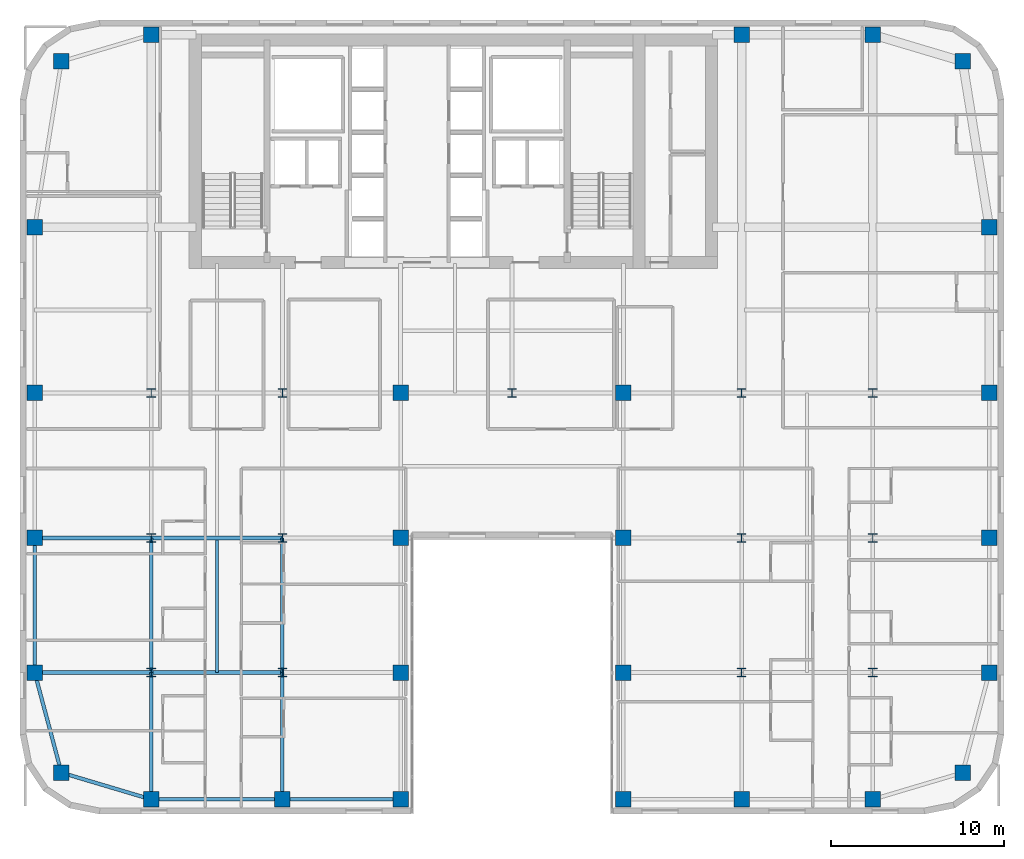
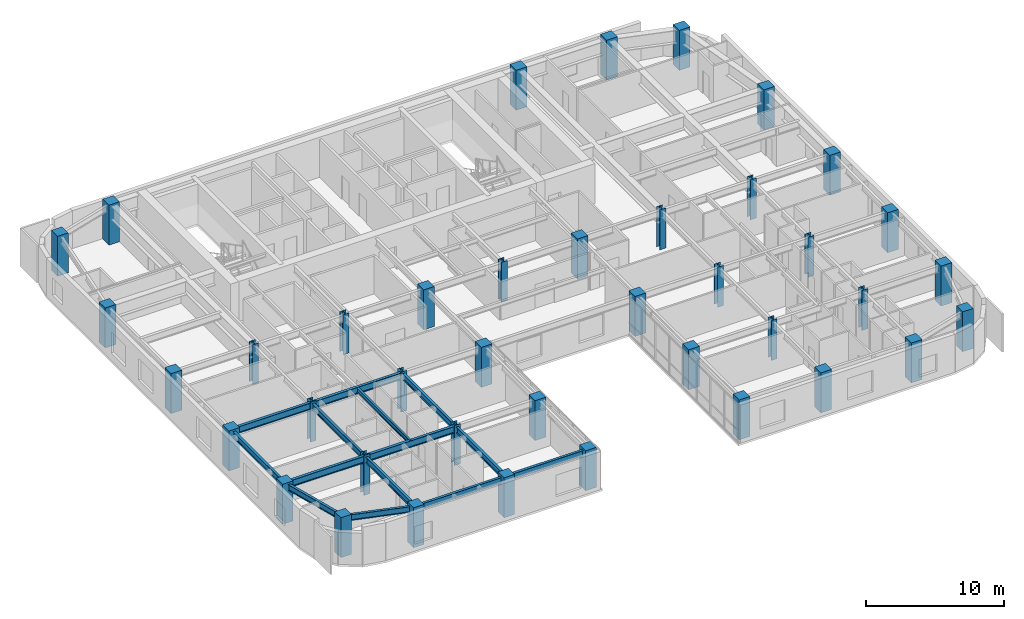
# One storey, part 1 of 17: 40 columns, 14 beams.
"""IFC4 building model written with IfcOpenShell, lengths in metres."""

from ifc_helpers import new_model, si_unit, direction, frame, origin, origin_2d, place, context, subcontext, project, spatial, rectangle, i_section, extrude, source, transform, mapped, material, material_profile, profile_set, type_object, type_shapes, element, save


model = new_model("IFC4")

# Units and contexts
model_context = context("Model", 3, precision=1e-05, world=origin(), true_north=direction((0.0, 1.0)))
body_context = subcontext(model_context, "Body", "Model", "MODEL_VIEW")
ifc_project = project(units=[si_unit("LENGTHUNIT", "METRE"), si_unit("AREAUNIT", "SQUARE_METRE"), si_unit("VOLUMEUNIT", "CUBIC_METRE"), si_unit("PLANEANGLEUNIT", "RADIAN"), si_unit("MASSUNIT", "GRAM", prefix="KILO")], contexts=[model_context])

# Site, building, storey
site_placement = place(None, origin())
site = spatial("IfcSite", under=ifc_project, at=site_placement, CompositionType="ELEMENT")
building_placement = place(site_placement, origin())
building = spatial("IfcBuilding", under=site, at=building_placement, Name="Tolvann Quenvar Hotel", CompositionType="ELEMENT")
storey_placement = place(building_placement, frame((0.0, 0.0, 129.300048828125)))
storey = spatial("IfcBuildingStorey", under=building, at=storey_placement, Name="L33", CompositionType="ELEMENT", Elevation=129.300048828125)

# Columns
ifc_material_1 = material(Name="Concrete S65 (65 MPa)", Category="concrete")
ifc_material_profile_1 = material_profile(ifc_material_1, rectangle(XDim=0.89990234375, YDim=0.89990234375, at=origin_2d()), Name="RC900x900")
ifc_profile_set_1 = profile_set([ifc_material_profile_1], Name="Concrete S65 (65 MPa)")
column_type_1 = type_object("IfcColumnType", Name="COL_RC900", PredefinedType="COLUMN", material=ifc_profile_set_1)
shared_shape_1 = source(origin(), body_context, "Body", "SweptSolid", [
    extrude(rectangle(XDim=0.89990234375, YDim=0.89990234375, at=origin_2d()), origin(), (0.0, 0.0, 1.0), 3.550048828125),
])
type_shapes(column_type_1, [shared_shape_1])
for number, where, z_axis, x_axis, name in (
    (1, (2.39990234375, 2.39990234375, 0.0), (0.0, 0.0, 1.0), (1.0, 0.0, 0.0), "Column B2 (L33)"),
    (2, (0.85009765625, 8.199951171875, 0.0), (0.0, 0.0, 1.0), (1.0, 0.0, 0.0), "Column B3 (L33)"),
    (3, (0.85009765625, 16.0, 0.0), (0.0, 0.0, 1.0), (1.0, 0.0, 0.0), "Column B4 (L33)"),
    (4, (0.85009765625, 24.39990234375, 0.0), (0.0, 0.0, 1.0), (1.0, 0.0, 0.0), "Column B5 (L33)"),
    (5, (7.60009765625, 0.85009765625, 0.0), (0.0, 0.0, 1.0), (1.0, 0.0, 0.0), "Column C2 (L33)"),
    (6, (15.199951171875, 0.85009765625, 0.0), (0.0, 0.0, 1.0), (1.0, 0.0, 0.0), "Column D2 (L33)"),
    (7, (22.050048828125, 0.85009765625, 0.0), (0.0, 0.0, 1.0), (1.0, 0.0, 0.0), "Column E2 (L33)"),
    (8, (22.050048828125, 8.199951171875, 0.0), (0.0, 0.0, 1.0), (1.0, 0.0, 0.0), "Column E3 (L33)"),
    (9, (22.050048828125, 16.0, 0.0), (0.0, 0.0, 1.0), (1.0, 0.0, 0.0), "Column E4 (L33)"),
    (10, (22.050048828125, 24.39990234375, 0.0), (0.0, 0.0, 1.0), (1.0, 0.0, 0.0), "Column E5 (L33)"),
    (11, (34.949951171875, 0.85009765625, 0.0), (0.0, 0.0, 1.0), (1.0, 0.0, 0.0), "Column F2 (L33)"),
    (12, (34.949951171875, 8.199951171875, 0.0), (0.0, 0.0, 1.0), (1.0, 0.0, 0.0), "Column F3 (L33)"),
    (13, (34.949951171875, 16.0, 0.0), (0.0, 0.0, 1.0), (1.0, 0.0, 0.0), "Column F4 (L33)"),
    (14, (34.949951171875, 24.39990234375, 0.0), (0.0, 0.0, 1.0), (1.0, 0.0, 0.0), "Column F5 (L33)"),
    (15, (41.800048828125, 0.85009765625, 0.0), (0.0, 0.0, 1.0), (1.0, 0.0, 0.0), "Column H2 (L33)"),
    (16, (49.39990234375, 0.85009765625, 0.0), (0.0, 0.0, 1.0), (1.0, 0.0, 0.0), "Column I2 (L33)"),
    (17, (54.60009765625, 2.39990234375, 0.0), (0.0, 0.0, 1.0), (1.0, 0.0, 0.0), "Column J2 (L33)"),
    (18, (56.14990234375, 8.199951171875, 0.0), (0.0, 0.0, 1.0), (1.0, 0.0, 0.0), "Column J3 (L33)"),
    (19, (56.14990234375, 16.0, 0.0), (0.0, 0.0, 1.0), (1.0, 0.0, 0.0), "Column J4 (L33)"),
    (20, (56.14990234375, 24.39990234375, 0.0), (0.0, 0.0, 1.0), (1.0, 0.0, 0.0), "Column J5 (L33)"),
    (21, (2.39990234375, 43.60009765625, 0.0), (0.0, 0.0, 1.0), (1.0, 0.0, 0.0), "Column BN (L33)"),
    (22, (7.60009765625, 45.14990234375, 0.0), (0.0, 0.0, 1.0), (1.0, 0.0, 0.0), "Column CN (L33)"),
    (23, (0.85009765625, 34.0, 0.0), (0.0, 0.0, 1.0), (1.0, 0.0, 0.0), "Column BD6 (L33)"),
    (24, (41.800048828125, 45.14990234375, 0.0), (0.0, 0.0, 1.0), (1.0, 0.0, 0.0), "Column HN (L33)"),
    (25, (49.39990234375, 45.14990234375, 0.0), (0.0, 0.0, 1.0), (1.0, 0.0, 0.0), "Column IN (L33)"),
    (26, (54.60009765625, 43.60009765625, 0.0), (0.0, 0.0, 1.0), (1.0, 0.0, 0.0), "Column JN (L33)"),
    (27, (56.14990234375, 34.0, 0.0), (0.0, 0.0, 1.0), (1.0, 0.0, 0.0), "Column JD6 (L33)"),
):
    element("IfcColumn", number, at=place(storey_placement, frame(where, z_axis=z_axis, x_axis=x_axis)), inside=storey, type_object=column_type_1, Name=name, PredefinedType="COLUMN", context=body_context, shape_type="MappedRepresentation", body=[
        mapped(shared_shape_1, transform((0.0, 0.0, 0.0), x_axis=(1.0, 0.0, 0.0), y_axis=(0.0, 1.0, 0.0), z_axis=(0.0, 0.0, 1.0), scale=1.0)),
    ])
ifc_material_2 = material(Name="Steel Grade 350", Category="steel")
ifc_material_profile_2 = material_profile(ifc_material_2, i_section(OverallWidth=0.5, OverallDepth=0.5, WebThickness=0.02197265625, FlangeThickness=0.033935546875, at=origin_2d()), Name="500WC340")
ifc_profile_set_2 = profile_set([ifc_material_profile_2], Name="Steel Grade 350")
column_type_2 = type_object("IfcColumnType", Name="COL_500WC340", PredefinedType="COLUMN", material=ifc_profile_set_2)
shared_shape_2 = source(origin(), body_context, "Body", "SweptSolid", [
    extrude(i_section(OverallWidth=0.5, OverallDepth=0.5, WebThickness=0.02197265625, FlangeThickness=0.033935546875, at=origin_2d()), origin(), (0.0, 0.0, 1.0), 3.550048828125),
])
type_shapes(column_type_2, [shared_shape_2])
for number, where, z_axis, x_axis, name in (
    (28, (7.60009765625, 8.199951171875, 0.0), (0.0, 0.0, 1.0), (1.0, 0.0, 0.0), "Column C3 (L33)"),
    (29, (7.60009765625, 16.0, 0.0), (0.0, 0.0, 1.0), (1.0, 0.0, 0.0), "Column C4 (L33)"),
    (30, (7.60009765625, 24.39990234375, 0.0), (0.0, 0.0, 1.0), (1.0, 0.0, 0.0), "Column C5 (L33)"),
    (31, (15.199951171875, 8.199951171875, 0.0), (0.0, 0.0, 1.0), (1.0, 0.0, 0.0), "Column D3 (L33)"),
    (32, (15.199951171875, 16.0, 0.0), (0.0, 0.0, 1.0), (1.0, 0.0, 0.0), "Column D4 (L33)"),
    (33, (15.199951171875, 24.39990234375, 0.0), (0.0, 0.0, 1.0), (1.0, 0.0, 0.0), "Column D5 (L33)"),
    (34, (41.800048828125, 8.199951171875, 0.0), (0.0, 0.0, 1.0), (1.0, 0.0, 0.0), "Column H3 (L33)"),
    (35, (41.800048828125, 16.0, 0.0), (0.0, 0.0, 1.0), (1.0, 0.0, 0.0), "Column H4 (L33)"),
    (36, (41.800048828125, 24.39990234375, 0.0), (0.0, 0.0, 1.0), (1.0, 0.0, 0.0), "Column H5 (L33)"),
    (37, (49.39990234375, 8.199951171875, 0.0), (0.0, 0.0, 1.0), (1.0, 0.0, 0.0), "Column I3 (L33)"),
    (38, (49.39990234375, 16.0, 0.0), (0.0, 0.0, 1.0), (1.0, 0.0, 0.0), "Column I4 (L33)"),
    (39, (49.39990234375, 24.39990234375, 0.0), (0.0, 0.0, 1.0), (1.0, 0.0, 0.0), "Column I5 (L33)"),
    (40, (28.5, 24.39990234375, 0.0), (0.0, 0.0, 1.0), (1.0, 0.0, 0.0), "Column M5 (L33)"),
):
    element("IfcColumn", number, at=place(storey_placement, frame(where, z_axis=z_axis, x_axis=x_axis)), inside=storey, type_object=column_type_2, Name=name, PredefinedType="COLUMN", context=body_context, shape_type="MappedRepresentation", body=[
        mapped(shared_shape_2, transform((0.0, 0.0, 0.0), x_axis=(1.0, 0.0, 0.0), y_axis=(0.0, 1.0, 0.0), z_axis=(0.0, 0.0, 1.0), scale=1.0)),
    ])

# Beams
ifc_material_profile_3 = material_profile(ifc_material_2, i_section(OverallWidth=0.208984375, OverallDepth=0.528076171875, WebThickness=0.009521484375, FlangeThickness=0.01318359375, FilletRadius=0.013916015625, at=origin_2d()), Name="530UB82")
ifc_profile_set_3 = profile_set([ifc_material_profile_3], Name="Steel Grade 350")
beam_type_1 = type_object("IfcBeamType", Name="BM_SPAND_530UB82", PredefinedType="SPANDREL", material=ifc_profile_set_3)
shared_shape_3 = source(origin(), body_context, "Body", "SweptSolid", [
    extrude(i_section(OverallWidth=0.208984375, OverallDepth=0.528076171875, WebThickness=0.009521484375, FlangeThickness=0.01318359375, FilletRadius=0.013916015625, at=origin_2d()), origin(), (0.0, 0.0, 1.0), 5.42626953125),
])
beam_1_placement = place(storey_placement, frame((2.39990234375, 2.39990234375, 3.10595703125), z_axis=(0.958344815522, -0.285613750654, 0.0), x_axis=(0.285613750654, 0.958344815522, 0.0)))
element("IfcBeam", 41, at=beam_1_placement, inside=storey, type_object=beam_type_1, Name="BM-L33-EW-2-B2-C2", PredefinedType="SPANDREL", context=body_context, shape_type="MappedRepresentation", body=[
    mapped(shared_shape_3, transform((0.0, 0.0, 0.0), x_axis=(1.0, 0.0, 0.0), y_axis=(0.0, 1.0, 0.0), z_axis=(0.0, 0.0, 1.0), scale=1.0)),
])
shared_shape_4 = source(origin(), body_context, "Body", "SweptSolid", [
    extrude(i_section(OverallWidth=0.208984375, OverallDepth=0.528076171875, WebThickness=0.009521484375, FlangeThickness=0.01318359375, FilletRadius=0.013916015625, at=origin_2d()), origin(), (0.0, 0.0, 1.0), 7.599853515625),
])
beam_2_placement = place(storey_placement, frame((7.60009765625, 0.85009765625, 3.10595703125), z_axis=(1.0, 0.0, 0.0), x_axis=(0.0, 1.0, 0.0)))
element("IfcBeam", 42, at=beam_2_placement, inside=storey, type_object=beam_type_1, Name="BM-L33-EW-2-C2-D2", PredefinedType="SPANDREL", context=body_context, shape_type="MappedRepresentation", body=[
    mapped(shared_shape_4, transform((0.0, 0.0, 0.0), x_axis=(1.0, 0.0, 0.0), y_axis=(0.0, 1.0, 0.0), z_axis=(0.0, 0.0, 1.0), scale=1.0)),
])
shared_shape_5 = source(origin(), body_context, "Body", "SweptSolid", [
    extrude(i_section(OverallWidth=0.208984375, OverallDepth=0.528076171875, WebThickness=0.009521484375, FlangeThickness=0.01318359375, FilletRadius=0.013916015625, at=origin_2d()), origin(), (0.0, 0.0, 1.0), 6.85009765625),
])
beam_3_placement = place(storey_placement, frame((15.199951171875, 0.85009765625, 3.10595703125), z_axis=(1.0, 0.0, 0.0), x_axis=(0.0, 1.0, 0.0)))
element("IfcBeam", 43, at=beam_3_placement, inside=storey, type_object=beam_type_1, Name="BM-L33-EW-2-D2-E2", PredefinedType="SPANDREL", context=body_context, shape_type="MappedRepresentation", body=[
    mapped(shared_shape_5, transform((0.0, 0.0, 0.0), x_axis=(1.0, 0.0, 0.0), y_axis=(0.0, 1.0, 0.0), z_axis=(0.0, 0.0, 1.0), scale=1.0)),
])
ifc_material_profile_4 = material_profile(ifc_material_2, i_section(OverallWidth=0.22900390625, OverallDepth=0.612060546875, WebThickness=0.011962890625, FlangeThickness=0.01953125, FilletRadius=0.013916015625, at=origin_2d()), Name="610UB125")
ifc_profile_set_4 = profile_set([ifc_material_profile_4], Name="Steel Grade 350")
beam_type_2 = type_object("IfcBeamType", Name="BM_GIRD_610UB125", PredefinedType="BEAM", material=ifc_profile_set_4)
shared_shape_6 = source(origin(), body_context, "Body", "SweptSolid", [
    extrude(i_section(OverallWidth=0.22900390625, OverallDepth=0.612060546875, WebThickness=0.011962890625, FlangeThickness=0.01953125, FilletRadius=0.013916015625, at=origin_2d()), origin(), (0.0, 0.0, 1.0), 6.75),
])
for number, where, z_axis, x_axis, name in (
    (44, (0.85009765625, 8.199951171875, 3.06396484375), (1.0, 0.0, 0.0), (0.0, 1.0, 0.0), "BM-L33-EW-3-B3-C3"),
    (45, (0.85009765625, 16.0, 3.06396484375), (1.0, 0.0, 0.0), (0.0, 1.0, 0.0), "BM-L33-EW-4-B4-C4"),
):
    element("IfcBeam", number, at=place(storey_placement, frame(where, z_axis=z_axis, x_axis=x_axis)), inside=storey, type_object=beam_type_2, Name=name, PredefinedType="BEAM", context=body_context, shape_type="MappedRepresentation", body=[
        mapped(shared_shape_6, transform((0.0, 0.0, 0.0), x_axis=(1.0, 0.0, 0.0), y_axis=(0.0, 1.0, 0.0), z_axis=(0.0, 0.0, 1.0), scale=1.0)),
    ])
shared_shape_7 = source(origin(), body_context, "Body", "SweptSolid", [
    extrude(i_section(OverallWidth=0.22900390625, OverallDepth=0.612060546875, WebThickness=0.011962890625, FlangeThickness=0.01953125, FilletRadius=0.013916015625, at=origin_2d()), origin(), (0.0, 0.0, 1.0), 7.599853515625),
])
type_shapes(beam_type_2, [shared_shape_6, shared_shape_7])
for number, where, z_axis, x_axis, name in (
    (46, (7.60009765625, 8.199951171875, 3.06396484375), (1.0, 0.0, 0.0), (0.0, 1.0, 0.0), "BM-L33-EW-3-C3-D3"),
    (47, (7.60009765625, 16.0, 3.06396484375), (1.0, 0.0, 0.0), (0.0, 1.0, 0.0), "BM-L33-EW-4-C4-D4"),
):
    element("IfcBeam", number, at=place(storey_placement, frame(where, z_axis=z_axis, x_axis=x_axis)), inside=storey, type_object=beam_type_2, Name=name, PredefinedType="BEAM", context=body_context, shape_type="MappedRepresentation", body=[
        mapped(shared_shape_7, transform((0.0, 0.0, 0.0), x_axis=(1.0, 0.0, 0.0), y_axis=(0.0, 1.0, 0.0), z_axis=(0.0, 0.0, 1.0), scale=1.0)),
    ])
shared_shape_8 = source(origin(), body_context, "Body", "SweptSolid", [
    extrude(i_section(OverallWidth=0.208984375, OverallDepth=0.528076171875, WebThickness=0.009521484375, FlangeThickness=0.01318359375, FilletRadius=0.013916015625, at=origin_2d()), origin(), (0.0, 0.0, 1.0), 6.00341796875),
])
beam_4_placement = place(storey_placement, frame((2.39990234375, 2.39990234375, 3.10595703125), z_axis=(-0.258148586649, 0.966105225745, 0.0), x_axis=(-0.966105225745, -0.258148586649, 0.0)))
element("IfcBeam", 48, at=beam_4_placement, inside=storey, type_object=beam_type_1, Name="BM-L33-NS-B2-B3", PredefinedType="SPANDREL", context=body_context, shape_type="MappedRepresentation", body=[
    mapped(shared_shape_8, transform((0.0, 0.0, 0.0), x_axis=(1.0, 0.0, 0.0), y_axis=(0.0, 1.0, 0.0), z_axis=(0.0, 0.0, 1.0), scale=1.0)),
])
shared_shape_9 = source(origin(), body_context, "Body", "SweptSolid", [
    extrude(i_section(OverallWidth=0.208984375, OverallDepth=0.528076171875, WebThickness=0.009521484375, FlangeThickness=0.01318359375, FilletRadius=0.013916015625, at=origin_2d()), origin(), (0.0, 0.0, 1.0), 7.800048828125),
])
type_shapes(beam_type_1, [shared_shape_3, shared_shape_4, shared_shape_5, shared_shape_8, shared_shape_9])
beam_5_placement = place(storey_placement, frame((0.85009765625, 8.199951171875, 3.10595703125), z_axis=(0.0, 1.0, 0.0), x_axis=(-1.0, 0.0, 0.0)))
element("IfcBeam", 49, at=beam_5_placement, inside=storey, type_object=beam_type_1, Name="BM-L33-NS-B3-B4", PredefinedType="SPANDREL", context=body_context, shape_type="MappedRepresentation", body=[
    mapped(shared_shape_9, transform((0.0, 0.0, 0.0), x_axis=(1.0, 0.0, 0.0), y_axis=(0.0, 1.0, 0.0), z_axis=(0.0, 0.0, 1.0), scale=1.0)),
])
ifc_material_profile_5 = material_profile(ifc_material_2, i_section(OverallWidth=0.208984375, OverallDepth=0.532958984375, WebThickness=0.01025390625, FlangeThickness=0.015625, FilletRadius=0.013916015625, at=origin_2d()), Name="530UB92")
ifc_profile_set_5 = profile_set([ifc_material_profile_5], Name="Steel Grade 350")
beam_type_3 = type_object("IfcBeamType", Name="BM_GIRD_530UB92", PredefinedType="BEAM", material=ifc_profile_set_5)
shared_shape_10 = source(origin(), body_context, "Body", "SweptSolid", [
    extrude(i_section(OverallWidth=0.208984375, OverallDepth=0.532958984375, WebThickness=0.01025390625, FlangeThickness=0.015625, FilletRadius=0.013916015625, at=origin_2d()), origin(), (0.0, 0.0, 1.0), 7.349853515625),
])
for number, where, z_axis, x_axis, name in (
    (50, (7.60009765625, 0.85009765625, 3.103515625), (0.0, 1.0, 0.0), (-1.0, 0.0, 0.0), "BM-L33-NS-C2-C3"),
    (51, (15.199951171875, 0.85009765625, 3.103515625), (0.0, 1.0, 0.0), (-1.0, 0.0, 0.0), "BM-L33-NS-D2-D3"),
):
    element("IfcBeam", number, at=place(storey_placement, frame(where, z_axis=z_axis, x_axis=x_axis)), inside=storey, type_object=beam_type_3, Name=name, PredefinedType="BEAM", context=body_context, shape_type="MappedRepresentation", body=[
        mapped(shared_shape_10, transform((0.0, 0.0, 0.0), x_axis=(1.0, 0.0, 0.0), y_axis=(0.0, 1.0, 0.0), z_axis=(0.0, 0.0, 1.0), scale=1.0)),
    ])
shared_shape_11 = source(origin(), body_context, "Body", "SweptSolid", [
    extrude(i_section(OverallWidth=0.208984375, OverallDepth=0.532958984375, WebThickness=0.01025390625, FlangeThickness=0.015625, FilletRadius=0.013916015625, at=origin_2d()), origin(), (0.0, 0.0, 1.0), 7.800048828125),
])
type_shapes(beam_type_3, [shared_shape_10, shared_shape_11])
for number, where, z_axis, x_axis, name in (
    (52, (7.60009765625, 8.199951171875, 3.103515625), (0.0, 1.0, 0.0), (-1.0, 0.0, 0.0), "BM-L33-NS-C3-C4"),
    (53, (15.199951171875, 8.199951171875, 3.103515625), (0.0, 1.0, 0.0), (-1.0, 0.0, 0.0), "BM-L33-NS-D3-D4"),
):
    element("IfcBeam", number, at=place(storey_placement, frame(where, z_axis=z_axis, x_axis=x_axis)), inside=storey, type_object=beam_type_3, Name=name, PredefinedType="BEAM", context=body_context, shape_type="MappedRepresentation", body=[
        mapped(shared_shape_11, transform((0.0, 0.0, 0.0), x_axis=(1.0, 0.0, 0.0), y_axis=(0.0, 1.0, 0.0), z_axis=(0.0, 0.0, 1.0), scale=1.0)),
    ])
ifc_material_profile_6 = material_profile(ifc_material_2, i_section(OverallWidth=0.177978515625, OverallDepth=0.406005859375, WebThickness=0.0078125, FlangeThickness=0.0126953125, FilletRadius=0.011474609375, at=origin_2d()), Name="410UB60")
ifc_profile_set_6 = profile_set([ifc_material_profile_6], Name="Steel Grade 350")
beam_type_4 = type_object("IfcBeamType", Name="BM_JOIST_410UB60", PredefinedType="JOIST", material=ifc_profile_set_6)
shared_shape_12 = source(origin(), body_context, "Body", "SweptSolid", [
    extrude(i_section(OverallWidth=0.177978515625, OverallDepth=0.406005859375, WebThickness=0.0078125, FlangeThickness=0.0126953125, FilletRadius=0.011474609375, at=origin_2d()), origin(), (0.0, 0.0, 1.0), 7.691650390625),
])
type_shapes(beam_type_4, [shared_shape_12])
beam_6_placement = place(storey_placement, frame((11.39990234375, 8.199951171875, 3.1669921875), z_axis=(0.0, 1.0, 0.0), x_axis=(-1.0, 0.0, 0.0)))
element("IfcBeam", 54, at=beam_6_placement, inside=storey, type_object=beam_type_4, Name="BJ-L33-114-82", PredefinedType="JOIST", context=body_context, shape_type="MappedRepresentation", body=[
    mapped(shared_shape_12, transform((0.0, 0.0, 0.0), x_axis=(1.0, 0.0, 0.0), y_axis=(0.0, 1.0, 0.0), z_axis=(0.0, 0.0, 1.0), scale=1.0)),
])

save(model, "model.ifc")
